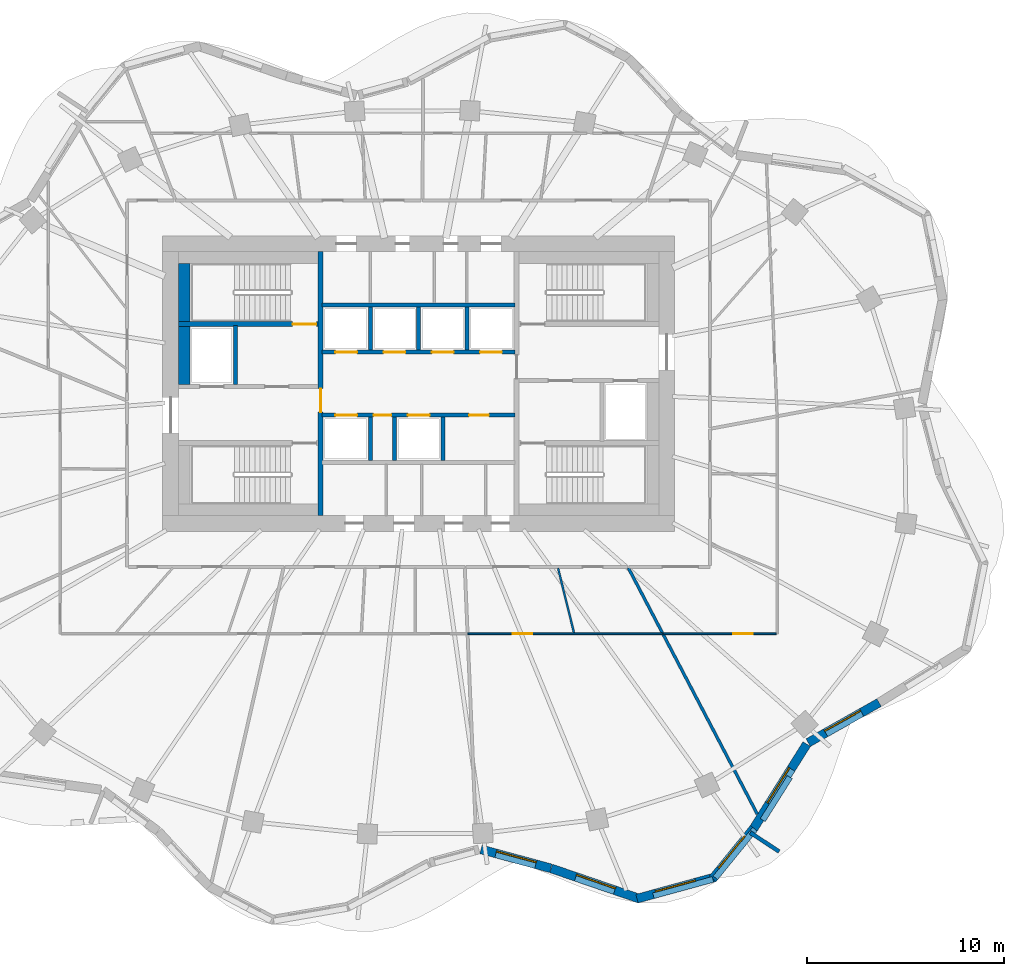
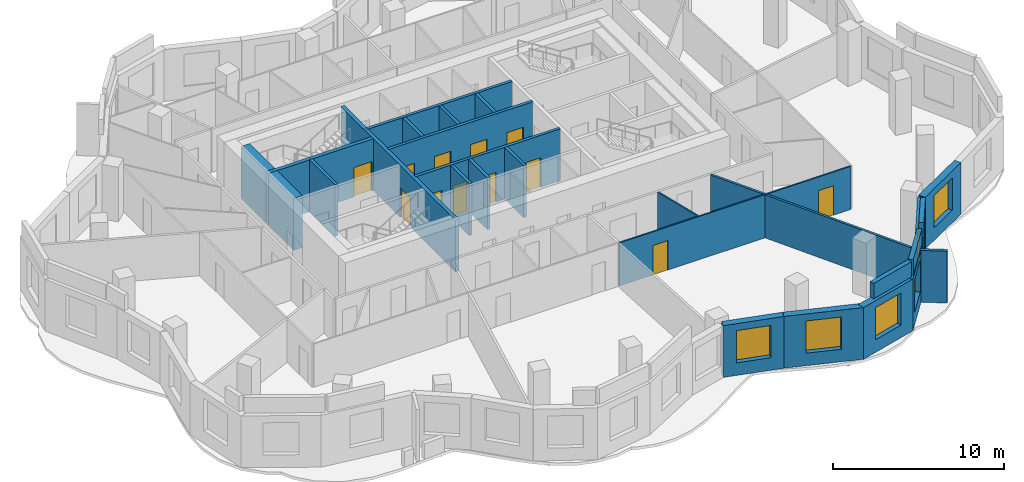
# One storey, part 5 of 10: 28 walls, 12 doors, 6 windows, 18 openings.
"""IFC4 building model written with IfcOpenShell, lengths in metres."""

import ifcopenshell
import ifcopenshell.guid

model = None  # the IFC model being written
_history = None  # IfcOwnerHistory: only IFC2X3 demands one
_inside = {}  # id of a spatial element -> (the spatial element, [elements in it])
_under = {}  # id of a project, library or spatial element -> (it, [spatial elements below it])
_declared = {}  # id of a project -> (the project, [libraries it declares])
_typed = {}  # id of a type object -> (the type object, [elements of that type])
_made_of = {}  # id of a material, layer set ... -> (it, [elements and type objects made of it])


def new_model(schema):
    """Start an empty IFC model of exactly this schema.

    Asked for "IFC4X3", IfcOpenShell would pick the latest addendum, in which some entities
    have other attributes; the version numbers below select the first issue.
    IFC2X3 requires an IfcOwnerHistory on every rooted entity: one is made here for all.
    """
    global model, _history
    if schema == "IFC4X3":
        model = ifcopenshell.file(schema_version=(4, 3, 0, 0))
    else:
        model = ifcopenshell.file(schema=schema)
    _inside.clear()
    _under.clear()
    _declared.clear()
    _typed.clear()
    _made_of.clear()
    _history = None
    if model.schema == "IFC2X3":
        org = make("IfcOrganization", Name="unknown")
        user = make(
            "IfcPersonAndOrganization",
            ThePerson=make("IfcPerson", FamilyName="unknown"),
            TheOrganization=org,
        )
        app = make(
            "IfcApplication",
            ApplicationDeveloper=org,
            Version="unknown",
            ApplicationFullName="unknown",
            ApplicationIdentifier="unknown",
        )
        _history = make(
            "IfcOwnerHistory",
            OwningUser=user,
            OwningApplication=app,
            ChangeAction="ADDED",
            CreationDate=0,
        )
    return model


def make(cls, **values):
    """One entity of the class cls with the attributes given. An attribute that is None is left unset."""
    return model.create_entity(
        cls, **{name: value for name, value in values.items() if value is not None}
    )


def rooted(cls, **values):
    """An entity with a GlobalId (a new one), such as an element, a storey or a relation."""
    return make(cls, GlobalId=ifcopenshell.guid.new(), OwnerHistory=_history, **values)


def si_unit(unit_type, name, prefix=None):
    """IfcSIUnit, for example si_unit("LENGTHUNIT", "METRE", prefix="MILLI")."""
    return make("IfcSIUnit", UnitType=unit_type, Prefix=prefix, Name=name)


def assignment(units):
    """IfcUnitAssignment: the units of a project."""
    return None if units is None else make("IfcUnitAssignment", Units=units)


def point(xyz):
    """IfcCartesianPoint."""
    return None if xyz is None else make("IfcCartesianPoint", Coordinates=xyz)


def direction(xyz):
    """IfcDirection."""
    return None if xyz is None else make("IfcDirection", DirectionRatios=xyz)


def frame(location, z_axis=None, x_axis=None):
    """IfcAxis2Placement3D, a coordinate frame: its origin and axes. An axis left out is left unset."""
    return make(
        "IfcAxis2Placement3D",
        Location=point(location),
        Axis=direction(z_axis),
        RefDirection=direction(x_axis),
    )


def frame_2d(location, x_axis=None):
    """IfcAxis2Placement2D, a coordinate frame in the plane: its origin and x axis."""
    return make(
        "IfcAxis2Placement2D", Location=point(location), RefDirection=direction(x_axis)
    )


def origin():
    """The frame at (0, 0, 0) with its axes left unset."""
    return frame((0.0, 0.0, 0.0))


def place(relative_to, where):
    """IfcLocalPlacement: puts the frame where relative to a parent placement (None: the world)."""
    return make(
        "IfcLocalPlacement", PlacementRelTo=relative_to, RelativePlacement=where
    )


def context(
    kind, dimensions, precision=None, world=None, true_north=None, identifier=None
):
    """IfcGeometricRepresentationContext, for example the 3D "Model" context."""
    return make(
        "IfcGeometricRepresentationContext",
        ContextIdentifier=identifier,
        ContextType=kind,
        CoordinateSpaceDimension=dimensions,
        Precision=precision,
        WorldCoordinateSystem=world,
        TrueNorth=true_north,
    )


def subcontext(parent, identifier, kind, view, scale=None):
    """IfcGeometricRepresentationSubContext, for example "Body" below "Model"."""
    return make(
        "IfcGeometricRepresentationSubContext",
        ContextIdentifier=identifier,
        ContextType=kind,
        ParentContext=parent,
        TargetScale=scale,
        TargetView=view,
    )


def project(units=None, contexts=None):
    """IfcProject with its units and contexts."""
    return rooted(
        "IfcProject",
        Name="project",
        RepresentationContexts=contexts,
        UnitsInContext=assignment(units),
    )


def spatial(cls, under=None, at=None, **own):
    """A site, building, storey or space (cls), placed at a placement, below another one or the project."""
    s = rooted(cls, ObjectPlacement=at, **own)
    if under is not None:
        _under.setdefault(under.id(), (under, []))[1].append(s)
    return s


def profile(cls, at=None, kind="AREA", **sizes):
    """A parametric profile (cls). Its sizes go by their IFC names, for example OverallWidth=200.0."""
    return make(cls, ProfileType=kind, Position=at, **sizes)


def rectangle(**sizes):
    """IfcRectangleProfileDef."""
    return profile("IfcRectangleProfileDef", **sizes)


def extrude(swept, where, along, depth):
    """IfcExtrudedAreaSolid: the profile swept, set in the frame where, extruded along a direction by depth."""
    return make(
        "IfcExtrudedAreaSolid",
        SweptArea=swept,
        Position=where,
        ExtrudedDirection=direction(along),
        Depth=depth,
    )


def shape(context_of_items, identifier, shape_type, items):
    """IfcShapeRepresentation: the items that make up one representation, for example the "Body"."""
    return make(
        "IfcShapeRepresentation",
        ContextOfItems=context_of_items,
        RepresentationIdentifier=identifier,
        RepresentationType=shape_type,
        Items=items,
    )


def material(Name=None, Category=None):
    """IfcMaterial."""
    return make("IfcMaterial", Name=Name, Category=Category)


def layer(
    of_material, thickness, ventilated=None, Name=None, Category=None, Priority=None
):
    """IfcMaterialLayer: one layer of a wall or slab, of a material (None: an air gap)."""
    return make(
        "IfcMaterialLayer",
        Material=of_material,
        LayerThickness=thickness,
        IsVentilated=ventilated,
        Name=Name,
        Category=Category,
        Priority=Priority,
    )


def layer_set(layers, Name=None):
    """IfcMaterialLayerSet."""
    return make("IfcMaterialLayerSet", MaterialLayers=layers, LayerSetName=Name)


def made_of(thing, what):
    """Note that an element or type object is made of a material, layer set ...; save() writes the relation."""
    if what is not None:
        _made_of.setdefault(what.id(), (what, []))[1].append(thing)
    return thing


def type_object(cls, material=None, **own):
    """A type object (cls), such as IfcWallType, which elements share."""
    return made_of(rooted(cls, **own), material)


def element(
    cls,
    number,
    at=None,
    inside=None,
    cuts=None,
    type_object=None,
    material=None,
    context=None,
    identifier="Body",
    shape_type=None,
    held_by="IfcProductDefinitionShape",
    body=None,
    shapes=None,
    **own,
):
    """One element of the class cls, such as IfcWall. Its Tag is "e" and its number.

    at: its placement. inside: the storey or other place that contains it. cuts: it is an
    opening in that element (IfcRelVoidsElement). A single representation is given by context,
    identifier, shape_type and body (its items); several are given by shapes. held_by: the class
    of the entity that holds the representations. save() writes the other relations.
    """
    e = rooted(cls, Tag="e%d" % number, ObjectPlacement=at, **own)
    if body is not None:
        shapes = [shape(context, identifier, shape_type, body)]
    if shapes is not None:
        e.Representation = make(held_by, Representations=shapes)
    if inside is not None:
        _inside.setdefault(inside.id(), (inside, []))[1].append(e)
    if cuts is not None:
        rooted(
            "IfcRelVoidsElement", RelatingBuildingElement=cuts, RelatedOpeningElement=e
        )
    if type_object is not None:
        _typed.setdefault(type_object.id(), (type_object, []))[1].append(e)
    return made_of(e, material)


def fill(opening, filler):
    """IfcRelFillsElement: the door or window that sits in an opening."""
    return rooted(
        "IfcRelFillsElement",
        RelatingOpeningElement=opening,
        RelatedBuildingElement=filler,
    )


def aggregate(whole, parts):
    """IfcRelAggregates: a whole, such as a stair, and the parts it consists of."""
    return rooted("IfcRelAggregates", RelatingObject=whole, RelatedObjects=parts)


def save(model, path):
    """Write the relations noted so far, then the file.

    IfcRelAggregates (storeys below a building ...), IfcRelContainedInSpatialStructure (elements
    in a storey), IfcRelDefinesByType, IfcRelAssociatesMaterial and IfcRelDeclares: one each for
    every whole, place, type object, material and project.
    """
    for whole, parts in _under.values():
        aggregate(whole, parts)
    for where, things in _inside.values():
        rooted(
            "IfcRelContainedInSpatialStructure",
            RelatedElements=things,
            RelatingStructure=where,
        )
    for kind, things in _typed.values():
        rooted("IfcRelDefinesByType", RelatedObjects=things, RelatingType=kind)
    for what, things in _made_of.values():
        rooted("IfcRelAssociatesMaterial", RelatedObjects=things, RelatingMaterial=what)
    for by, libraries in _declared.values():
        rooted("IfcRelDeclares", RelatingContext=by, RelatedDefinitions=libraries)
    model.write(path)


model = new_model("IFC4")

# Units and contexts
model_context = context("Model", 3, precision=1e-05, world=origin(), true_north=direction((0.0, 1.0)))
body_context = subcontext(model_context, "Body", "Model", "MODEL_VIEW")
ifc_project = project(units=[si_unit("LENGTHUNIT", "METRE"), si_unit("AREAUNIT", "SQUARE_METRE"), si_unit("VOLUMEUNIT", "CUBIC_METRE"), si_unit("PLANEANGLEUNIT", "RADIAN"), si_unit("MASSUNIT", "GRAM", prefix="KILO")], contexts=[model_context])

# Site, building, storey
site_placement = place(None, origin())
site = spatial("IfcSite", under=ifc_project, at=site_placement, CompositionType="ELEMENT")
building_placement = place(site_placement, origin())
building = spatial("IfcBuilding", under=site, at=building_placement, Name="Rubra Terraces Tower", CompositionType="ELEMENT")
storey_placement = place(building_placement, frame((0.0, 0.0, 256.5)))
storey = spatial("IfcBuildingStorey", under=building, at=storey_placement, Name="L63", CompositionType="ELEMENT", Elevation=256.5)

# Wall, opening, window
ifc_material_1 = material(Name="Brick masonry red-brown", Category="masonry")
ifc_layer_1 = layer(ifc_material_1, 0.449951171875)
ifc_layer_set_1 = layer_set([ifc_layer_1], Name="Brick masonry red-brown")
wall_type_1 = type_object("IfcWallType", Name="Brick facade wall 450", PredefinedType="SOLIDWALL", material=ifc_layer_set_1)
wall_1_placement = place(storey_placement, frame((3.164306640625, -19.147216796875, 0.0), z_axis=(0.0, 0.0, 1.0), x_axis=(0.965039479998, -0.262104563191, 0.0)))
wall_1 = element("IfcWall", 1, at=wall_1_placement, inside=storey, type_object=wall_type_1, Name="Facade wall L63 bay 32", PredefinedType="SOLIDWALL", context=body_context, shape_type="SweptSolid", body=[
    extrude(rectangle(XDim=3.671875, YDim=0.449951171875, at=frame_2d((1.8359375, 0.0))), origin(), (0.0, 0.0, 1.0), 3.699951171875),
])
opening_1_placement = place(wall_1_placement, frame((0.785888671875, 0.0, 0.89990234375)))
opening_1 = element("IfcOpeningElement", 2, at=opening_1_placement, cuts=wall_1, Name="Opening W1B", PredefinedType="OPENING", context=body_context, shape_type="SweptSolid", body=[
    extrude(rectangle(XDim=2.10009765625, YDim=2.300048828125, at=frame_2d((1.050048828125, 1.14990234375))), frame((0.0, 0.23486328125, 0.0), z_axis=(0.0, -1.0, 0.0), x_axis=(1.0, 0.0, 0.0)), (0.0, 0.0, 1.0), 0.469970703125),
])
ifc_material_2 = material(Name="Clear glass in aluminium frame", Category="aluminium")
window_type = type_object("IfcWindowType", Name="Fixed deep-set window tall storey 2100 x 2300", PartitioningType="SINGLE_PANEL", PredefinedType="WINDOW", material=ifc_material_2)
window_1_placement = place(opening_1_placement, origin())
window_1 = element("IfcWindow", 3, at=window_1_placement, inside=storey, type_object=window_type, Name="Window L63 bay 32", OverallHeight=2.300048828125, OverallWidth=2.10009765625, PartitioningType="SINGLE_PANEL", PredefinedType="WINDOW", context=body_context, shape_type="SweptSolid", body=[
    extrude(rectangle(XDim=2.10009765625, YDim=2.300048828125, at=frame_2d((1.050048828125, 1.14990234375))), frame((0.0, 0.135009765625, 0.0), z_axis=(0.0, -1.0, 0.0), x_axis=(1.0, 0.0, 0.0)), (0.0, 0.0, 1.0), 0.06005859375),
])
fill(opening_1, window_1)

wall_2_placement = place(storey_placement, frame((6.722900390625, -20.114013671875, 0.0), z_axis=(0.0, 0.0, 1.0), x_axis=(0.945947299026, -0.324320377815, 0.0)))
wall_2 = element("IfcWall", 4, at=wall_2_placement, inside=storey, type_object=wall_type_1, Name="Facade wall L63 bay 33", PredefinedType="SOLIDWALL", context=body_context, shape_type="SweptSolid", body=[
    extrude(rectangle(XDim=4.74462890625, YDim=0.449951171875, at=frame_2d((2.372314453125, 0.0))), origin(), (0.0, 0.0, 1.0), 3.699951171875),
])
opening_2_placement = place(wall_2_placement, frame((1.322265625, 0.0, 0.89990234375)))
opening_2 = element("IfcOpeningElement", 5, at=opening_2_placement, cuts=wall_2, Name="Opening W1B", PredefinedType="OPENING", context=body_context, shape_type="SweptSolid", body=[
    extrude(rectangle(XDim=2.10009765625, YDim=2.300048828125, at=frame_2d((1.050048828125, 1.14990234375))), frame((0.0, 0.23486328125, 0.0), z_axis=(0.0, -1.0, 0.0), x_axis=(1.0, 0.0, 0.0)), (0.0, 0.0, 1.0), 0.469970703125),
])
window_2_placement = place(opening_2_placement, origin())
window_2 = element("IfcWindow", 6, at=window_2_placement, inside=storey, type_object=window_type, Name="Window L63 bay 33", OverallHeight=2.300048828125, OverallWidth=2.10009765625, PartitioningType="SINGLE_PANEL", PredefinedType="WINDOW", context=body_context, shape_type="SweptSolid", body=[
    extrude(rectangle(XDim=2.10009765625, YDim=2.300048828125, at=frame_2d((1.050048828125, 1.14990234375))), frame((0.0, 0.135009765625, 0.0), z_axis=(0.0, -1.0, 0.0), x_axis=(1.0, 0.0, 0.0)), (0.0, 0.0, 1.0), 0.06005859375),
])
fill(opening_2, window_2)

wall_3_placement = place(storey_placement, frame((11.08251953125, -21.64990234375, 0.0), z_axis=(0.0, 0.0, 1.0), x_axis=(0.964483204983, 0.264144179011, 0.0)))
wall_3 = element("IfcWall", 7, at=wall_3_placement, inside=storey, type_object=wall_type_1, Name="Facade wall L63 bay 34", PredefinedType="SOLIDWALL", context=body_context, shape_type="SweptSolid", body=[
    extrude(rectangle(XDim=4.103759765625, YDim=0.449951171875, at=frame_2d((2.0517578125, 0.0))), origin(), (0.0, 0.0, 1.0), 3.699951171875),
])
opening_3_placement = place(wall_3_placement, frame((1.001953125, 0.0, 0.89990234375)))
opening_3 = element("IfcOpeningElement", 8, at=opening_3_placement, cuts=wall_3, Name="Opening W1B", PredefinedType="OPENING", context=body_context, shape_type="SweptSolid", body=[
    extrude(rectangle(XDim=2.10009765625, YDim=2.300048828125, at=frame_2d((1.050048828125, 1.14990234375))), frame((0.0, 0.23486328125, 0.0), z_axis=(0.0, -1.0, 0.0), x_axis=(1.0, 0.0, 0.0)), (0.0, 0.0, 1.0), 0.469970703125),
])
window_3_placement = place(opening_3_placement, origin())
window_3 = element("IfcWindow", 9, at=window_3_placement, inside=storey, type_object=window_type, Name="Window L63 bay 34", OverallHeight=2.300048828125, OverallWidth=2.10009765625, PartitioningType="SINGLE_PANEL", PredefinedType="WINDOW", context=body_context, shape_type="SweptSolid", body=[
    extrude(rectangle(XDim=2.10009765625, YDim=2.300048828125, at=frame_2d((1.050048828125, 1.14990234375))), frame((0.0, 0.135009765625, 0.0), z_axis=(0.0, -1.0, 0.0), x_axis=(1.0, 0.0, 0.0)), (0.0, 0.0, 1.0), 0.06005859375),
])
fill(opening_3, window_3)

wall_4_placement = place(storey_placement, frame((14.925537109375, -20.640869140625, 0.0), z_axis=(0.0, 0.0, 1.0), x_axis=(0.631548074669, 0.775336720001, 0.0)))
wall_4 = element("IfcWall", 10, at=wall_4_placement, inside=storey, type_object=wall_type_1, Name="Facade wall L63 bay 35", PredefinedType="SOLIDWALL", context=body_context, shape_type="SweptSolid", body=[
    extrude(rectangle(XDim=3.3076171875, YDim=0.449951171875, at=frame_2d((1.65380859375, 0.0))), origin(), (0.0, 0.0, 1.0), 3.699951171875),
])
opening_4_placement = place(wall_4_placement, frame((0.603759765625, 0.0, 0.89990234375)))
opening_4 = element("IfcOpeningElement", 11, at=opening_4_placement, cuts=wall_4, Name="Opening W1B", PredefinedType="OPENING", context=body_context, shape_type="SweptSolid", body=[
    extrude(rectangle(XDim=2.10009765625, YDim=2.300048828125, at=frame_2d((1.050048828125, 1.14990234375))), frame((0.0, 0.23486328125, 0.0), z_axis=(0.0, -1.0, 0.0), x_axis=(1.0, 0.0, 0.0)), (0.0, 0.0, 1.0), 0.469970703125),
])
window_4_placement = place(opening_4_placement, origin())
window_4 = element("IfcWindow", 12, at=window_4_placement, inside=storey, type_object=window_type, Name="Window L63 bay 35", OverallHeight=2.300048828125, OverallWidth=2.10009765625, PartitioningType="SINGLE_PANEL", PredefinedType="WINDOW", context=body_context, shape_type="SweptSolid", body=[
    extrude(rectangle(XDim=2.10009765625, YDim=2.300048828125, at=frame_2d((1.050048828125, 1.14990234375))), frame((0.0, 0.135009765625, 0.0), z_axis=(0.0, -1.0, 0.0), x_axis=(1.0, 0.0, 0.0)), (0.0, 0.0, 1.0), 0.06005859375),
])
fill(opening_4, window_4)

wall_5_placement = place(storey_placement, frame((16.998291015625, -18.0986328125, 0.0), z_axis=(0.0, 0.0, 1.0), x_axis=(0.532745661304, 0.846275404559, 0.0)))
wall_5 = element("IfcWall", 13, at=wall_5_placement, inside=storey, type_object=wall_type_1, Name="Facade wall L63 bay 36", PredefinedType="SOLIDWALL", context=body_context, shape_type="SweptSolid", body=[
    extrude(rectangle(XDim=5.076171875, YDim=0.449951171875, at=frame_2d((2.5380859375, 0.0))), origin(), (0.0, 0.0, 1.0), 3.699951171875),
])
opening_5_placement = place(wall_5_placement, frame((1.488037109375, 0.0, 0.89990234375)))
opening_5 = element("IfcOpeningElement", 14, at=opening_5_placement, cuts=wall_5, Name="Opening W1B", PredefinedType="OPENING", context=body_context, shape_type="SweptSolid", body=[
    extrude(rectangle(XDim=2.10009765625, YDim=2.300048828125, at=frame_2d((1.050048828125, 1.14990234375))), frame((0.0, 0.23486328125, 0.0), z_axis=(0.0, -1.0, 0.0), x_axis=(1.0, 0.0, 0.0)), (0.0, 0.0, 1.0), 0.469970703125),
])
window_5_placement = place(opening_5_placement, origin())
window_5 = element("IfcWindow", 15, at=window_5_placement, inside=storey, type_object=window_type, Name="Window L63 bay 36", OverallHeight=2.300048828125, OverallWidth=2.10009765625, PartitioningType="SINGLE_PANEL", PredefinedType="WINDOW", context=body_context, shape_type="SweptSolid", body=[
    extrude(rectangle(XDim=2.10009765625, YDim=2.300048828125, at=frame_2d((1.050048828125, 1.14990234375))), frame((0.0, 0.135009765625, 0.0), z_axis=(0.0, -1.0, 0.0), x_axis=(1.0, 0.0, 0.0)), (0.0, 0.0, 1.0), 0.06005859375),
])
fill(opening_5, window_5)

wall_6_placement = place(storey_placement, frame((19.77587890625, -13.730712890625, 0.0), z_axis=(0.0, 0.0, 1.0), x_axis=(0.870610133829, 0.491973571318, 0.0)))
wall_6 = element("IfcWall", 16, at=wall_6_placement, inside=storey, type_object=wall_type_1, Name="Facade wall L63 bay 37", PredefinedType="SOLIDWALL", context=body_context, shape_type="SweptSolid", body=[
    extrude(rectangle(XDim=4.1337890625, YDim=0.449951171875, at=frame_2d((2.06689453125, 0.0))), origin(), (0.0, 0.0, 1.0), 3.699951171875),
])
opening_6_placement = place(wall_6_placement, frame((1.016845703125, 0.0, 0.89990234375)))
opening_6 = element("IfcOpeningElement", 17, at=opening_6_placement, cuts=wall_6, Name="Opening W1B", PredefinedType="OPENING", context=body_context, shape_type="SweptSolid", body=[
    extrude(rectangle(XDim=2.10009765625, YDim=2.300048828125, at=frame_2d((1.050048828125, 1.14990234375))), frame((0.0, 0.23486328125, 0.0), z_axis=(0.0, -1.0, 0.0), x_axis=(1.0, 0.0, 0.0)), (0.0, 0.0, 1.0), 0.469970703125),
])
window_6_placement = place(opening_6_placement, origin())
window_6 = element("IfcWindow", 18, at=window_6_placement, inside=storey, type_object=window_type, Name="Window L63 bay 37", OverallHeight=2.300048828125, OverallWidth=2.10009765625, PartitioningType="SINGLE_PANEL", PredefinedType="WINDOW", context=body_context, shape_type="SweptSolid", body=[
    extrude(rectangle(XDim=2.10009765625, YDim=2.300048828125, at=frame_2d((1.050048828125, 1.14990234375))), frame((0.0, 0.135009765625, 0.0), z_axis=(0.0, -1.0, 0.0), x_axis=(1.0, 0.0, 0.0)), (0.0, 0.0, 1.0), 0.06005859375),
])
fill(opening_6, window_6)

# Walls
ifc_layer_2 = layer(ifc_material_1, 0.300048828125)
ifc_layer_set_2 = layer_set([ifc_layer_2], Name="Brick masonry red-brown")
wall_type_2 = type_object("IfcWallType", Name="Brick parapet 300", PredefinedType="PARAPET", material=ifc_layer_set_2)
wall_7_placement = place(storey_placement, frame((11.916259765625, -21.49951171875, 3.89990234375), z_axis=(0.0, 0.0, 1.0), x_axis=(0.964473787466, 0.264178563271, 0.0)))
element("IfcWall", 19, at=wall_7_placement, inside=storey, type_object=wall_type_2, Name="Parapet L63 bay 34", PredefinedType="PARAPET", context=body_context, shape_type="SweptSolid", body=[
    extrude(rectangle(XDim=3.1337890625, YDim=0.300048828125, at=frame_2d((1.56689453125, 0.0))), origin(), (0.0, 0.0, 1.0), 1.10009765625),
])
wall_8_placement = place(storey_placement, frame((15.063232421875, -20.590576171875, 3.89990234375), z_axis=(0.0, 0.0, 1.0), x_axis=(0.631539712948, 0.775343530939, 0.0)))
element("IfcWall", 20, at=wall_8_placement, inside=storey, type_object=wall_type_2, Name="Parapet L63 bay 35", PredefinedType="PARAPET", context=body_context, shape_type="SweptSolid", body=[
    extrude(rectangle(XDim=3.181640625, YDim=0.300048828125, at=frame_2d((1.5908203125, 0.0))), origin(), (0.0, 0.0, 1.0), 1.10009765625),
])
wall_9_placement = place(storey_placement, frame((17.4658203125, -17.663818359375, 3.89990234375), z_axis=(0.0, 0.0, 1.0), x_axis=(0.532743008157, 0.846277074758, 0.0)))
element("IfcWall", 21, at=wall_9_placement, inside=storey, type_object=wall_type_2, Name="Parapet L63 bay 36", PredefinedType="PARAPET", context=body_context, shape_type="SweptSolid", body=[
    extrude(rectangle(XDim=2.58056640625, YDim=0.300048828125, at=frame_2d((1.290283203125, 0.0))), origin(), (0.0, 0.0, 1.0), 1.10009765625),
])
ifc_layer_3 = layer(ifc_material_1, 0.199951171875)
ifc_layer_set_3 = layer_set([ifc_layer_3], Name="Brick masonry red-brown")
wall_type_3 = type_object("IfcWallType", Name="Brick wind fin 200", PredefinedType="SOLIDWALL", material=ifc_layer_set_3)
wall_10_placement = place(storey_placement, frame((16.837890625, -18.298095703125, 0.0), z_axis=(0.0, 0.0, 1.0), x_axis=(0.835871900419, -0.548924554097, 0.0)))
element("IfcWall", 22, at=wall_10_placement, inside=storey, type_object=wall_type_3, Name="Wind fin L63 21", PredefinedType="SOLIDWALL", context=body_context, shape_type="SweptSolid", body=[
    extrude(rectangle(XDim=1.750244140625, YDim=0.199951171875, at=frame_2d((0.875, 0.0))), origin(), (0.0, 0.0, 1.0), 3.699951171875),
])
ifc_material_3 = material(Name="Concrete C40", Category="concrete")
ifc_layer_4 = layer(ifc_material_3, 0.60009765625)
ifc_layer_set_4 = layer_set([ifc_layer_4], Name="Concrete C40")
wall_type_4 = type_object("IfcWallType", Name="Core lining wall 600 concrete", PredefinedType="SOLIDWALL", material=ifc_layer_set_4)
wall_11_placement = place(storey_placement, frame((-11.89990234375, 4.449951171875, 0.0), z_axis=(0.0, 0.0, 1.0), x_axis=(0.0, 1.0, 0.0)))
element("IfcWall", 23, at=wall_11_placement, inside=storey, type_object=wall_type_4, Name="CORE LINING WALL L63", PredefinedType="SOLIDWALL", context=body_context, shape_type="SweptSolid", body=[
    extrude(rectangle(XDim=3.0, YDim=0.60009765625, at=frame_2d((1.5, 0.0))), origin(), (0.0, 0.0, 1.0), 3.699951171875),
])
wall_12_placement = place(storey_placement, frame((-11.89990234375, 7.64990234375, 0.0), z_axis=(0.0, 0.0, 1.0), x_axis=(0.0, 1.0, 0.0)))
element("IfcWall", 24, at=wall_12_placement, inside=storey, type_object=wall_type_4, Name="CORE LINING WALL L63", PredefinedType="SOLIDWALL", context=body_context, shape_type="SweptSolid", body=[
    extrude(rectangle(XDim=2.9501953125, YDim=0.60009765625, at=frame_2d((1.47509765625, 0.0))), origin(), (0.0, 0.0, 1.0), 3.699951171875),
])
ifc_material_4 = material(Name="Concrete C30", Category="concrete")
ifc_layer_5 = layer(ifc_material_4, 0.199951171875)
ifc_layer_set_5 = layer_set([ifc_layer_5], Name="Concrete C30")
wall_type_5 = type_object("IfcWallType", Name="Core wall 200 concrete", PredefinedType="SOLIDWALL", material=ifc_layer_set_5)
wall_13_placement = place(storey_placement, frame((-9.300048828125, 4.449951171875, 0.0), z_axis=(0.0, 0.0, 1.0), x_axis=(0.0, 1.0, 0.0)))
element("IfcWall", 25, at=wall_13_placement, inside=storey, type_object=wall_type_5, Name="STAIR WALL L63", PredefinedType="SOLIDWALL", context=body_context, shape_type="SweptSolid", body=[
    extrude(rectangle(XDim=3.0, YDim=0.199951171875, at=frame_2d((1.5, 0.0))), origin(), (0.0, 0.0, 1.0), 3.699951171875),
])

# Wall, openings, doors
wall_14_placement = place(storey_placement, frame((-4.89990234375, 2.89990234375, 0.0), z_axis=(0.0, 0.0, 1.0), x_axis=(1.0, 0.0, 0.0)))
wall_14 = element("IfcWall", 26, at=wall_14_placement, inside=storey, type_object=wall_type_5, Name="LIFT SHAFT WALL L63", PredefinedType="SOLIDWALL", context=body_context, shape_type="SweptSolid", body=[
    extrude(rectangle(XDim=9.7998046875, YDim=0.199951171875, at=frame_2d((4.89990234375, 0.0))), origin(), (0.0, 0.0, 1.0), 3.699951171875),
])
opening_7_placement = place(wall_14_placement, frame((0.675048828125, 0.0, 0.0)))
opening_7 = element("IfcOpeningElement", 27, at=opening_7_placement, cuts=wall_14, Name="Opening L63.C13", PredefinedType="OPENING", context=body_context, shape_type="SweptSolid", body=[
    extrude(rectangle(XDim=1.10009765625, YDim=2.10009765625, at=frame_2d((0.550048828125, 1.050048828125))), frame((0.0, 0.10986328125, 0.0), z_axis=(0.0, -1.0, 0.0), x_axis=(1.0, 0.0, 0.0)), (0.0, 0.0, 1.0), 0.219970703125),
])
opening_8_placement = place(wall_14_placement, frame((2.613037109375, 0.0, 0.0)))
opening_8 = element("IfcOpeningElement", 28, at=opening_8_placement, cuts=wall_14, Name="Opening L63.C14", PredefinedType="OPENING", context=body_context, shape_type="SweptSolid", body=[
    extrude(rectangle(XDim=0.89990234375, YDim=2.10009765625, at=frame_2d((0.449951171875, 1.050048828125))), frame((0.0, 0.10986328125, 0.0), z_axis=(0.0, -1.0, 0.0), x_axis=(1.0, 0.0, 0.0)), (0.0, 0.0, 1.0), 0.219970703125),
])
opening_9_placement = place(wall_14_placement, frame((4.35009765625, 0.0, 0.0)))
opening_9 = element("IfcOpeningElement", 29, at=opening_9_placement, cuts=wall_14, Name="Opening L63.C15", PredefinedType="OPENING", context=body_context, shape_type="SweptSolid", body=[
    extrude(rectangle(XDim=1.10009765625, YDim=2.10009765625, at=frame_2d((0.550048828125, 1.050048828125))), frame((0.0, 0.10986328125, 0.0), z_axis=(0.0, -1.0, 0.0), x_axis=(1.0, 0.0, 0.0)), (0.0, 0.0, 1.0), 0.219970703125),
])
opening_10_placement = place(wall_14_placement, frame((7.462890625, 0.0, 0.0)))
opening_10 = element("IfcOpeningElement", 30, at=opening_10_placement, cuts=wall_14, Name="Opening L63.C16", PredefinedType="OPENING", context=body_context, shape_type="SweptSolid", body=[
    extrude(rectangle(XDim=1.0, YDim=2.10009765625, at=frame_2d((0.5, 1.050048828125))), frame((0.0, 0.10986328125, 0.0), z_axis=(0.0, -1.0, 0.0), x_axis=(1.0, 0.0, 0.0)), (0.0, 0.0, 1.0), 0.219970703125),
])
ifc_material_5 = material(Name="Painted steel", Category="steel")
door_type_1 = type_object("IfcDoorType", Name="Fire door 1000x2100 single", OperationType="NOTDEFINED", PredefinedType="DOOR", material=ifc_material_5)
door_1_placement = place(opening_10_placement, origin())
door_1 = element("IfcDoor", 31, at=door_1_placement, inside=storey, type_object=door_type_1, Name="Security and building control room door", OperationType="SINGLE_SWING_RIGHT", OverallHeight=2.10009765625, OverallWidth=1.0, PredefinedType="DOOR", context=body_context, shape_type="SweptSolid", body=[
    extrude(rectangle(XDim=1.0, YDim=2.10009765625, at=frame_2d((0.5, 1.050048828125))), frame((0.0, 0.02490234375, 0.0), z_axis=(0.0, -1.0, 0.0), x_axis=(1.0, 0.0, 0.0)), (0.0, 0.0, 1.0), 0.050048828125),
])
fill(opening_10, door_1)
door_type_2 = type_object("IfcDoorType", Name="Fire door 900x2100 single", OperationType="NOTDEFINED", PredefinedType="DOOR", material=ifc_material_5)
door_2_placement = place(opening_8_placement, origin())
door_2 = element("IfcDoor", 32, at=door_2_placement, inside=storey, type_object=door_type_2, Name="Cleaner's store door", OperationType="SINGLE_SWING_RIGHT", OverallHeight=2.10009765625, OverallWidth=0.89990234375, PredefinedType="DOOR", context=body_context, shape_type="SweptSolid", body=[
    extrude(rectangle(XDim=0.89990234375, YDim=2.10009765625, at=frame_2d((0.449951171875, 1.050048828125))), frame((0.0, 0.02490234375, 0.0), z_axis=(0.0, -1.0, 0.0), x_axis=(1.0, 0.0, 0.0)), (0.0, 0.0, 1.0), 0.050048828125),
])
fill(opening_8, door_2)
ifc_material_6 = material(Name="Stainless steel", Category="steel")
door_type_3 = type_object("IfcDoorType", Name="Lift landing door 1100x2100", OperationType="NOTDEFINED", PredefinedType="DOOR", material=ifc_material_6)
door_3_placement = place(opening_7_placement, origin())
door_3 = element("IfcDoor", 33, at=door_3_placement, inside=storey, type_object=door_type_3, Name="Landing door HB1", OperationType="SLIDING_TO_RIGHT", OverallHeight=2.10009765625, OverallWidth=1.10009765625, PredefinedType="DOOR", context=body_context, shape_type="SweptSolid", body=[
    extrude(rectangle(XDim=1.10009765625, YDim=2.10009765625, at=frame_2d((0.550048828125, 1.050048828125))), frame((0.0, 0.02490234375, 0.0), z_axis=(0.0, -1.0, 0.0), x_axis=(1.0, 0.0, 0.0)), (0.0, 0.0, 1.0), 0.050048828125),
])
fill(opening_7, door_3)
door_4_placement = place(opening_9_placement, origin())
door_4 = element("IfcDoor", 34, at=door_4_placement, inside=storey, type_object=door_type_3, Name="Landing door HB2", OperationType="SLIDING_TO_LEFT", OverallHeight=2.10009765625, OverallWidth=1.10009765625, PredefinedType="DOOR", context=body_context, shape_type="SweptSolid", body=[
    extrude(rectangle(XDim=1.10009765625, YDim=2.10009765625, at=frame_2d((0.550048828125, 1.050048828125))), frame((0.0, 0.02490234375, 0.0), z_axis=(0.0, -1.0, 0.0), x_axis=(1.0, 0.0, 0.0)), (0.0, 0.0, 1.0), 0.050048828125),
])
fill(opening_9, door_4)

wall_15_placement = place(storey_placement, frame((-4.89990234375, 6.10009765625, 0.0), z_axis=(0.0, 0.0, 1.0), x_axis=(1.0, 0.0, 0.0)))
wall_15 = element("IfcWall", 35, at=wall_15_placement, inside=storey, type_object=wall_type_5, Name="LIFT SHAFT WALL L63", PredefinedType="SOLIDWALL", context=body_context, shape_type="SweptSolid", body=[
    extrude(rectangle(XDim=9.7998046875, YDim=0.199951171875, at=frame_2d((4.89990234375, 0.0))), origin(), (0.0, 0.0, 1.0), 3.699951171875),
])
opening_11_placement = place(wall_15_placement, frame((0.675048828125, 0.0, 0.0)))
opening_11 = element("IfcOpeningElement", 36, at=opening_11_placement, cuts=wall_15, Name="Opening L63.C17", PredefinedType="OPENING", context=body_context, shape_type="SweptSolid", body=[
    extrude(rectangle(XDim=1.10009765625, YDim=2.10009765625, at=frame_2d((0.550048828125, 1.050048828125))), frame((0.0, 0.10986328125, 0.0), z_axis=(0.0, -1.0, 0.0), x_axis=(1.0, 0.0, 0.0)), (0.0, 0.0, 1.0), 0.219970703125),
])
opening_12_placement = place(wall_15_placement, frame((3.125, 0.0, 0.0)))
opening_12 = element("IfcOpeningElement", 37, at=opening_12_placement, cuts=wall_15, Name="Opening L63.C18", PredefinedType="OPENING", context=body_context, shape_type="SweptSolid", body=[
    extrude(rectangle(XDim=1.10009765625, YDim=2.10009765625, at=frame_2d((0.550048828125, 1.050048828125))), frame((0.0, 0.10986328125, 0.0), z_axis=(0.0, -1.0, 0.0), x_axis=(1.0, 0.0, 0.0)), (0.0, 0.0, 1.0), 0.219970703125),
])
opening_13_placement = place(wall_15_placement, frame((5.574951171875, 0.0, 0.0)))
opening_13 = element("IfcOpeningElement", 38, at=opening_13_placement, cuts=wall_15, Name="Opening L63.C19", PredefinedType="OPENING", context=body_context, shape_type="SweptSolid", body=[
    extrude(rectangle(XDim=1.10009765625, YDim=2.10009765625, at=frame_2d((0.550048828125, 1.050048828125))), frame((0.0, 0.10986328125, 0.0), z_axis=(0.0, -1.0, 0.0), x_axis=(1.0, 0.0, 0.0)), (0.0, 0.0, 1.0), 0.219970703125),
])
opening_14_placement = place(wall_15_placement, frame((8.02490234375, 0.0, 0.0)))
opening_14 = element("IfcOpeningElement", 39, at=opening_14_placement, cuts=wall_15, Name="Opening L63.C20", PredefinedType="OPENING", context=body_context, shape_type="SweptSolid", body=[
    extrude(rectangle(XDim=1.10009765625, YDim=2.10009765625, at=frame_2d((0.550048828125, 1.050048828125))), frame((0.0, 0.10986328125, 0.0), z_axis=(0.0, -1.0, 0.0), x_axis=(1.0, 0.0, 0.0)), (0.0, 0.0, 1.0), 0.219970703125),
])
door_5_placement = place(opening_11_placement, origin())
door_5 = element("IfcDoor", 40, at=door_5_placement, inside=storey, type_object=door_type_3, Name="Landing door HB3", OperationType="SLIDING_TO_RIGHT", OverallHeight=2.10009765625, OverallWidth=1.10009765625, PredefinedType="DOOR", context=body_context, shape_type="SweptSolid", body=[
    extrude(rectangle(XDim=1.10009765625, YDim=2.10009765625, at=frame_2d((0.550048828125, 1.050048828125))), frame((0.0, 0.02490234375, 0.0), z_axis=(0.0, -1.0, 0.0), x_axis=(1.0, 0.0, 0.0)), (0.0, 0.0, 1.0), 0.050048828125),
])
fill(opening_11, door_5)
door_6_placement = place(opening_12_placement, origin())
door_6 = element("IfcDoor", 41, at=door_6_placement, inside=storey, type_object=door_type_3, Name="Landing door HB4", OperationType="SLIDING_TO_LEFT", OverallHeight=2.10009765625, OverallWidth=1.10009765625, PredefinedType="DOOR", context=body_context, shape_type="SweptSolid", body=[
    extrude(rectangle(XDim=1.10009765625, YDim=2.10009765625, at=frame_2d((0.550048828125, 1.050048828125))), frame((0.0, 0.02490234375, 0.0), z_axis=(0.0, -1.0, 0.0), x_axis=(1.0, 0.0, 0.0)), (0.0, 0.0, 1.0), 0.050048828125),
])
fill(opening_12, door_6)
door_7_placement = place(opening_13_placement, origin())
door_7 = element("IfcDoor", 42, at=door_7_placement, inside=storey, type_object=door_type_3, Name="Landing door HB5", OperationType="SLIDING_TO_RIGHT", OverallHeight=2.10009765625, OverallWidth=1.10009765625, PredefinedType="DOOR", context=body_context, shape_type="SweptSolid", body=[
    extrude(rectangle(XDim=1.10009765625, YDim=2.10009765625, at=frame_2d((0.550048828125, 1.050048828125))), frame((0.0, 0.02490234375, 0.0), z_axis=(0.0, -1.0, 0.0), x_axis=(1.0, 0.0, 0.0)), (0.0, 0.0, 1.0), 0.050048828125),
])
fill(opening_13, door_7)
door_8_placement = place(opening_14_placement, origin())
door_8 = element("IfcDoor", 43, at=door_8_placement, inside=storey, type_object=door_type_3, Name="Landing door HB6", OperationType="SLIDING_TO_LEFT", OverallHeight=2.10009765625, OverallWidth=1.10009765625, PredefinedType="DOOR", context=body_context, shape_type="SweptSolid", body=[
    extrude(rectangle(XDim=1.10009765625, YDim=2.10009765625, at=frame_2d((0.550048828125, 1.050048828125))), frame((0.0, 0.02490234375, 0.0), z_axis=(0.0, -1.0, 0.0), x_axis=(1.0, 0.0, 0.0)), (0.0, 0.0, 1.0), 0.050048828125),
])
fill(opening_14, door_8)

# Walls
wall_16_placement = place(storey_placement, frame((-4.89990234375, 8.5, 0.0), z_axis=(0.0, 0.0, 1.0), x_axis=(1.0, 0.0, 0.0)))
element("IfcWall", 44, at=wall_16_placement, inside=storey, type_object=wall_type_5, Name="LIFT SHAFT WALL L63", PredefinedType="SOLIDWALL", context=body_context, shape_type="SweptSolid", body=[
    extrude(rectangle(XDim=9.7998046875, YDim=0.199951171875, at=frame_2d((4.89990234375, 0.0))), origin(), (0.0, 0.0, 1.0), 3.699951171875),
])
for number, where, z_axis, x_axis, name in (
    (45, (-2.449951171875, 0.60009765625, 0.0), (0.0, 0.0, 1.0), (0.0, 1.0, 0.0), "LIFT SHAFT WALL L63"),
    (46, (-1.22509765625, 0.60009765625, 0.0), (0.0, 0.0, 1.0), (0.0, 1.0, 0.0), "LIFT SHAFT WALL L63"),
    (47, (1.22509765625, 0.60009765625, 0.0), (0.0, 0.0, 1.0), (0.0, 1.0, 0.0), "LIFT SHAFT WALL L63"),
    (48, (-2.449951171875, 6.199951171875, 0.0), (0.0, 0.0, 1.0), (0.0, 1.0, 0.0), "LIFT SHAFT WALL L63"),
    (49, (0.0, 6.199951171875, 0.0), (0.0, 0.0, 1.0), (0.0, 1.0, 0.0), "LIFT SHAFT WALL L63"),
    (50, (2.449951171875, 6.199951171875, 0.0), (0.0, 0.0, 1.0), (0.0, 1.0, 0.0), "LIFT SHAFT WALL L63"),
):
    element("IfcWall", number, at=place(storey_placement, frame(where, z_axis=z_axis, x_axis=x_axis)), inside=storey, type_object=wall_type_5, Name=name, PredefinedType="SOLIDWALL", context=body_context, shape_type="SweptSolid", body=[
        extrude(rectangle(XDim=2.199951171875, YDim=0.199951171875, at=frame_2d((1.10009765625, 0.0))), origin(), (0.0, 0.0, 1.0), 3.699951171875),
    ])

# Wall, opening, door
ifc_material_7 = material(Name="Plasterboard on steel stud", Category="steel")
ifc_layer_6 = layer(ifc_material_7, 0.10009765625)
ifc_layer_set_6 = layer_set([ifc_layer_6], Name="Plasterboard on steel stud")
wall_type_6 = type_object("IfcWallType", Name="ROOM PARTITION 100", PredefinedType="PARTITIONING", material=ifc_layer_set_6)
wall_17_placement = place(storey_placement, frame((12.372314453125, -8.199951171875, 0.0), z_axis=(0.0, 0.0, 1.0), x_axis=(-1.0, 0.0, 0.0)))
wall_17 = element("IfcWall", 51, at=wall_17_placement, inside=storey, type_object=wall_type_6, Name="PARTITION", PredefinedType="PARTITIONING", context=body_context, shape_type="SweptSolid", body=[
    extrude(rectangle(XDim=9.870849609375, YDim=0.10009765625, at=frame_2d((4.935546875, 0.0))), origin(), (0.0, 0.0, 1.0), 3.083984375),
])
opening_15_placement = place(wall_17_placement, frame((6.60400390625, 0.0, 0.0)))
opening_15 = element("IfcOpeningElement", 52, at=opening_15_placement, cuts=wall_17, Name="Opening 63-126", PredefinedType="OPENING", context=body_context, shape_type="SweptSolid", body=[
    extrude(rectangle(XDim=1.0, YDim=2.10009765625, at=frame_2d((0.5, 1.050048828125))), frame((0.0, 0.06005859375, 0.0), z_axis=(0.0, -1.0, 0.0), x_axis=(1.0, 0.0, 0.0)), (0.0, 0.0, 1.0), 0.1201171875),
])
ifc_material_8 = material(Name="Painted timber door leaf", Category="wood")
door_type_4 = type_object("IfcDoorType", Name="ROOM DOOR 1000 X 2100", OperationType="SINGLE_SWING_LEFT", PredefinedType="DOOR", material=ifc_material_8)
door_9_placement = place(opening_15_placement, origin())
door_9 = element("IfcDoor", 53, at=door_9_placement, inside=storey, type_object=door_type_4, Name="DOOR 63-126", OperationType="SINGLE_SWING_LEFT", OverallHeight=2.10009765625, OverallWidth=1.0, PredefinedType="DOOR", context=body_context, shape_type="SweptSolid", body=[
    extrude(rectangle(XDim=1.0, YDim=2.10009765625, at=frame_2d((0.5, 1.050048828125))), frame((0.0, 0.02490234375, 0.0), z_axis=(0.0, -1.0, 0.0), x_axis=(1.0, 0.0, 0.0)), (0.0, 0.0, 1.0), 0.050048828125),
])
fill(opening_15, door_9)

# Wall
wall_18_placement = place(storey_placement, frame((7.07470703125, -4.872802734375, 0.0), z_axis=(0.0, 0.0, 1.0), x_axis=(0.239779199404, -0.970827448898, 0.0)))
element("IfcWall", 54, at=wall_18_placement, inside=storey, type_object=wall_type_6, Name="PARTITION", PredefinedType="PARTITIONING", context=body_context, shape_type="SweptSolid", body=[
    extrude(rectangle(XDim=3.37744140625, YDim=0.10009765625, at=frame_2d((1.688720703125, 0.0))), origin(), (0.0, 0.0, 1.0), 3.083984375),
])

# Wall, opening, door
wall_19_placement = place(storey_placement, frame((18.14990234375, -8.199951171875, 0.0), z_axis=(0.0, 0.0, 1.0), x_axis=(-1.0, 0.0, 0.0)))
wall_19 = element("IfcWall", 55, at=wall_19_placement, inside=storey, type_object=wall_type_6, Name="PARTITION", PredefinedType="PARTITIONING", context=body_context, shape_type="SweptSolid", body=[
    extrude(rectangle(XDim=5.732421875, YDim=0.10009765625, at=frame_2d((2.8662109375, 0.0))), origin(), (0.0, 0.0, 1.0), 3.083984375),
])
opening_16_placement = place(wall_19_placement, frame((1.18505859375, 0.0, 0.0)))
opening_16 = element("IfcOpeningElement", 56, at=opening_16_placement, cuts=wall_19, Name="Opening 63-129", PredefinedType="OPENING", context=body_context, shape_type="SweptSolid", body=[
    extrude(rectangle(XDim=1.0, YDim=2.10009765625, at=frame_2d((0.5, 1.050048828125))), frame((0.0, 0.06005859375, 0.0), z_axis=(0.0, -1.0, 0.0), x_axis=(1.0, 0.0, 0.0)), (0.0, 0.0, 1.0), 0.1201171875),
])
door_10_placement = place(opening_16_placement, origin())
door_10 = element("IfcDoor", 57, at=door_10_placement, inside=storey, type_object=door_type_4, Name="DOOR 63-129", OperationType="SINGLE_SWING_RIGHT", OverallHeight=2.10009765625, OverallWidth=1.0, PredefinedType="DOOR", context=body_context, shape_type="SweptSolid", body=[
    extrude(rectangle(XDim=1.0, YDim=2.10009765625, at=frame_2d((0.5, 1.050048828125))), frame((0.0, 0.02490234375, 0.0), z_axis=(0.0, -1.0, 0.0), x_axis=(1.0, 0.0, 0.0)), (0.0, 0.0, 1.0), 0.050048828125),
])
fill(opening_16, door_10)

# Wall
ifc_layer_7 = layer(ifc_material_7, 0.14990234375)
ifc_layer_set_7 = layer_set([ifc_layer_7], Name="Plasterboard on steel stud")
wall_type_7 = type_object("IfcWallType", Name="ROOM PARTITION 150", PredefinedType="PARTITIONING", material=ifc_layer_set_7)
wall_20_placement = place(storey_placement, frame((17.19287109375, -17.35986328125, 0.0), z_axis=(0.0, 0.0, 1.0), x_axis=(-0.464008288338, 0.885830857643, 0.0)))
element("IfcWall", 58, at=wall_20_placement, inside=storey, type_object=wall_type_7, Name="PARTITION", PredefinedType="PARTITIONING", context=body_context, shape_type="SweptSolid", body=[
    extrude(rectangle(XDim=14.103515625, YDim=0.14990234375, at=frame_2d((7.0517578125, 0.0))), origin(), (0.0, 0.0, 1.0), 3.083984375),
])

# Wall, opening, door
ifc_layer_8 = layer(ifc_material_3, 0.25)
ifc_layer_set_8 = layer_set([ifc_layer_8], Name="Concrete C40")
wall_type_8 = type_object("IfcWallType", Name="Stair enclosure wall 250 concrete", PredefinedType="SOLIDWALL", material=ifc_layer_set_8)
wall_21_placement = place(storey_placement, frame((-12.199951171875, 7.52490234375, 0.0), z_axis=(0.0, 0.0, 1.0), x_axis=(1.0, 0.0, 0.0)))
wall_21 = element("IfcWall", 59, at=wall_21_placement, inside=storey, type_object=wall_type_8, Name="STAIR WALL L63", PredefinedType="SOLIDWALL", context=body_context, shape_type="SweptSolid", body=[
    extrude(rectangle(XDim=7.099853515625, YDim=0.25, at=frame_2d((3.5498046875, 0.0))), origin(), (0.0, 0.0, 1.0), 3.699951171875),
])
opening_17_placement = place(wall_21_placement, frame((5.800048828125, 0.0, 0.0)))
opening_17 = element("IfcOpeningElement", 60, at=opening_17_placement, cuts=wall_21, Name="Opening L63.C09", PredefinedType="OPENING", context=body_context, shape_type="SweptSolid", body=[
    extrude(rectangle(XDim=1.199951171875, YDim=2.10009765625, at=frame_2d((0.60009765625, 1.050048828125))), frame((0.0, 0.135009765625, 0.0), z_axis=(0.0, -1.0, 0.0), x_axis=(1.0, 0.0, 0.0)), (0.0, 0.0, 1.0), 0.27001953125),
])
door_type_5 = type_object("IfcDoorType", Name="Fire door 1200x2100 single", OperationType="NOTDEFINED", PredefinedType="DOOR", material=ifc_material_5)
door_11_placement = place(opening_17_placement, origin())
door_11 = element("IfcDoor", 61, at=door_11_placement, inside=storey, type_object=door_type_5, Name="Stair door S2", OperationType="SINGLE_SWING_LEFT", OverallHeight=2.10009765625, OverallWidth=1.199951171875, PredefinedType="DOOR", context=body_context, shape_type="SweptSolid", body=[
    extrude(rectangle(XDim=1.199951171875, YDim=2.10009765625, at=frame_2d((0.60009765625, 1.050048828125))), frame((0.0, 0.02490234375, 0.0), z_axis=(0.0, -1.0, 0.0), x_axis=(1.0, 0.0, 0.0)), (0.0, 0.0, 1.0), 0.050048828125),
])
fill(opening_17, door_11)

wall_22_placement = place(storey_placement, frame((-4.97509765625, -2.199951171875, 0.0), z_axis=(0.0, 0.0, 1.0), x_axis=(0.0, 1.0, 0.0)))
wall_22 = element("IfcWall", 62, at=wall_22_placement, inside=storey, type_object=wall_type_8, Name="CORE LOBBY WALL L63", PredefinedType="SOLIDWALL", context=body_context, shape_type="SweptSolid", body=[
    extrude(rectangle(XDim=13.39990234375, YDim=0.25, at=frame_2d((6.699951171875, 0.0))), origin(), (0.0, 0.0, 1.0), 3.699951171875),
])
opening_18_placement = place(wall_22_placement, frame((5.25, 0.0, 0.0)))
opening_18 = element("IfcOpeningElement", 63, at=opening_18_placement, cuts=wall_22, Name="Opening L63.C03", PredefinedType="OPENING", context=body_context, shape_type="SweptSolid", body=[
    extrude(rectangle(XDim=1.199951171875, YDim=2.10009765625, at=frame_2d((0.60009765625, 1.050048828125))), frame((0.0, 0.135009765625, 0.0), z_axis=(0.0, -1.0, 0.0), x_axis=(1.0, 0.0, 0.0)), (0.0, 0.0, 1.0), 0.27001953125),
])
door_12_placement = place(opening_18_placement, origin())
door_12 = element("IfcDoor", 64, at=door_12_placement, inside=storey, type_object=door_type_5, Name="Firefighting lobby door FF1", OperationType="SINGLE_SWING_LEFT", OverallHeight=2.10009765625, OverallWidth=1.199951171875, PredefinedType="DOOR", context=body_context, shape_type="SweptSolid", body=[
    extrude(rectangle(XDim=1.199951171875, YDim=2.10009765625, at=frame_2d((0.60009765625, 1.050048828125))), frame((0.0, 0.02490234375, 0.0), z_axis=(0.0, -1.0, 0.0), x_axis=(1.0, 0.0, 0.0)), (0.0, 0.0, 1.0), 0.050048828125),
])
fill(opening_18, door_12)

save(model, "model.ifc")
